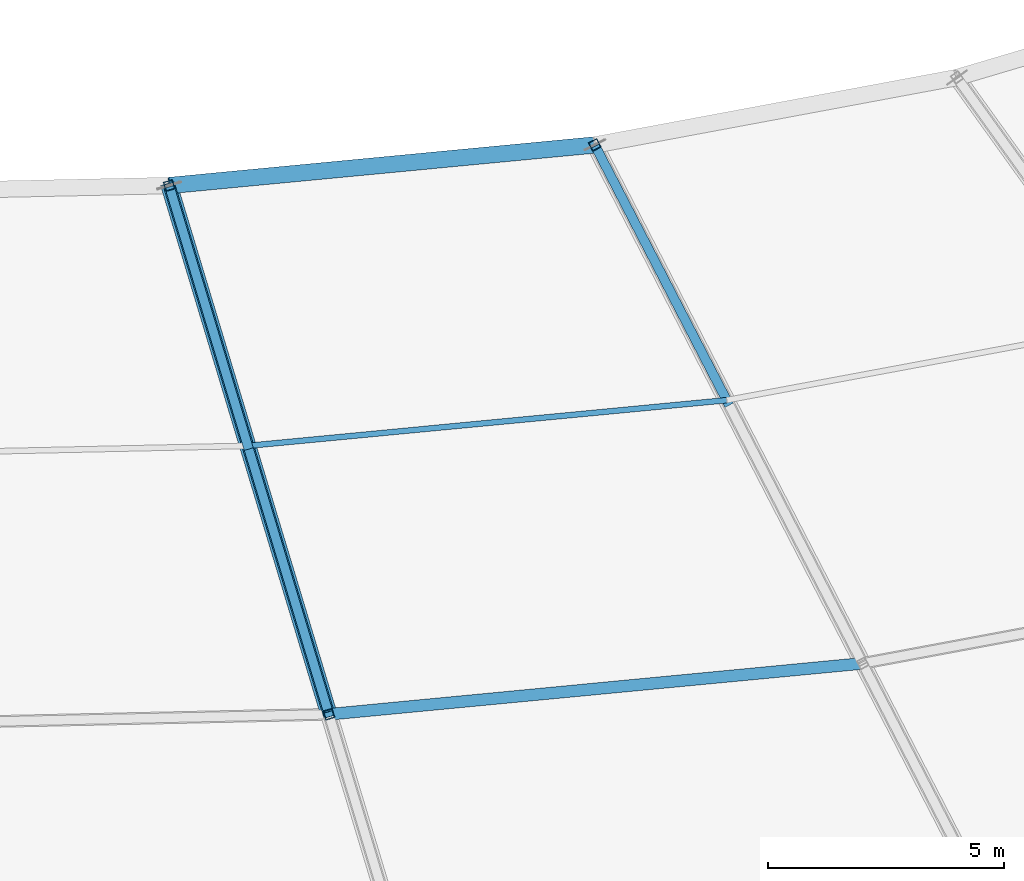
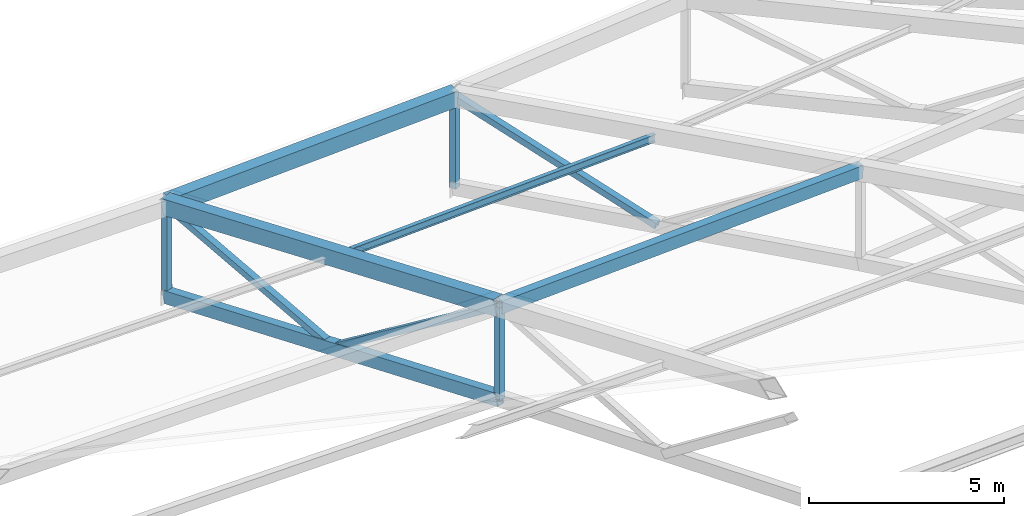
# One storey, part 37 of 143: 7 members, 4 beams.
"""IFC4 building model written with IfcOpenShell, lengths in metres."""

from ifc_helpers import new_model, si_unit, direction, frame, origin, origin_2d, place, context, subcontext, project, spatial, hollow_rectangle, i_section, extrude, material, material_profile, profile_set, type_object, element, save


model = new_model("IFC4")

# Units and contexts
model_context = context("Model", 3, precision=1e-05, world=origin(), true_north=direction((0.0, 1.0)))
body_context = subcontext(model_context, "Body", "Model", "MODEL_VIEW")
ifc_project = project(units=[si_unit("LENGTHUNIT", "METRE"), si_unit("AREAUNIT", "SQUARE_METRE"), si_unit("VOLUMEUNIT", "CUBIC_METRE"), si_unit("PLANEANGLEUNIT", "RADIAN"), si_unit("MASSUNIT", "GRAM", prefix="KILO")], contexts=[model_context])

# Site, building, storey
site_placement = place(None, origin())
site = spatial("IfcSite", under=ifc_project, at=site_placement, CompositionType="ELEMENT")
building_placement = place(site_placement, origin())
building = spatial("IfcBuilding", under=site, at=building_placement, Name="Mphavela Belvedere Stadium", CompositionType="ELEMENT")
storey_placement = place(building_placement, frame((0.0, 0.0, 28.800048828125)))
storey = spatial("IfcBuildingStorey", under=building, at=storey_placement, Name="RF", CompositionType="ELEMENT", Elevation=28.800048828125)

# Beams
ifc_material_1 = material(Name="Steel S355", Category="steel")
ifc_material_profile_1 = material_profile(ifc_material_1, hollow_rectangle(XDim=0.35009765625, YDim=0.5, WallThickness=0.02001953125, at=origin_2d()), Name="RHS 500x350x20")
ifc_profile_set_1 = profile_set([ifc_material_profile_1], Name="Steel S355")
beam_type_1 = type_object("IfcBeamType", Name="BM-RING-IN", PredefinedType="BEAM", material=ifc_profile_set_1)
beam_1_placement = place(storey_placement, frame((128.352294921875, 42.8076171875, 7.196533203125), z_axis=(0.994977937372, 0.094866111189, -0.03192687099), x_axis=(-0.094914497887, 0.995485428367, 0.0)))
element("IfcBeam", 1, at=beam_1_placement, inside=storey, type_object=beam_type_1, Name="Inner tension ring beam RB-IN-38", PredefinedType="BEAM", context=body_context, shape_type="SweptSolid", body=[
    extrude(hollow_rectangle(XDim=0.35009765625, YDim=0.5, WallThickness=0.02001953125, at=origin_2d()), origin(), (0.0, 0.0, 1.0), 9.076904296875),
])
ifc_material_2 = material(Name="Steel S355", Category="steel")
ifc_material_profile_2 = material_profile(ifc_material_2, hollow_rectangle(XDim=0.25, YDim=0.39990234375, WallThickness=0.01611328125, at=origin_2d()), Name="RHS 400x250x16")
ifc_profile_set_2 = profile_set([ifc_material_profile_2], Name="Steel S355")
beam_type_2 = type_object("IfcBeamType", Name="BM-RING-MID", PredefinedType="BEAM", material=ifc_profile_set_2)
beam_2_placement = place(storey_placement, frame((131.742431640625, 31.586669921875, 9.63427734375), z_axis=(0.994978032266, 0.09487523632, -0.031896784175), x_axis=(-0.094923536441, 0.995484566545, 0.0)))
element("IfcBeam", 2, at=beam_2_placement, inside=storey, type_object=beam_type_2, Name="Intermediate roof ring beam RB-MID-38", PredefinedType="BEAM", context=body_context, shape_type="SweptSolid", body=[
    extrude(hollow_rectangle(XDim=0.25, YDim=0.39990234375, WallThickness=0.01611328125, at=origin_2d()), origin(), (0.0, 0.0, 1.0), 11.381591796875),
])
ifc_material_3 = material(Name="Steel S355", Category="steel")
ifc_material_profile_3 = material_profile(ifc_material_3, hollow_rectangle(XDim=0.25, YDim=0.39990234375, WallThickness=0.01611328125, at=origin_2d()), Name="RHS 400x250x16")
ifc_profile_set_3 = profile_set([ifc_material_profile_3], Name="Steel S355")
beam_type_3 = type_object("IfcBeamType", Name="BM-TRUSS-BC2", PredefinedType="BEAM", material=ifc_profile_set_3)
beam_3_placement = place(storey_placement, frame((131.742431640625, 31.586669921875, 6.734375), z_axis=(-0.283393510492, 0.937998641489, -0.199616298871), x_axis=(-0.957264409521, -0.289214194439, 0.0)))
element("IfcBeam", 3, at=beam_3_placement, inside=storey, type_object=beam_type_3, Name="Radial roof truss RT-38 bottom chord 3", PredefinedType="BEAM", context=body_context, shape_type="SweptSolid", body=[
    extrude(hollow_rectangle(XDim=0.25, YDim=0.39990234375, WallThickness=0.01611328125, at=origin_2d()), origin(), (0.0, 0.0, 1.0), 11.962646484375),
])
ifc_material_4 = material(Name="Steel S355", Category="steel")
ifc_material_profile_4 = material_profile(ifc_material_4, hollow_rectangle(XDim=0.35009765625, YDim=0.5, WallThickness=0.02001953125, at=origin_2d()), Name="RHS 500x350x20")
ifc_profile_set_4 = profile_set([ifc_material_profile_4], Name="Steel S355")
beam_type_4 = type_object("IfcBeamType", Name="BM-TRUSS-TC2", PredefinedType="BEAM", material=ifc_profile_set_4)
beam_4_placement = place(storey_placement, frame((131.742431640625, 31.586669921875, 9.63427734375), z_axis=(-0.283155833182, 0.937211958007, -0.20360874221), x_axis=(-0.957264409521, -0.289214194439, 0.0)))
element("IfcBeam", 4, at=beam_4_placement, inside=storey, type_object=beam_type_4, Name="Radial roof truss RT-38 top chord 3", PredefinedType="BEAM", context=body_context, shape_type="SweptSolid", body=[
    extrude(hollow_rectangle(XDim=0.35009765625, YDim=0.5, WallThickness=0.02001953125, at=origin_2d()), origin(), (0.0, 0.0, 1.0), 11.97265625),
])

# Members
ifc_material_5 = material(Name="Steel S355", Category="steel")
ifc_material_profile_5 = material_profile(ifc_material_5, hollow_rectangle(XDim=0.199951171875, YDim=0.199951171875, WallThickness=0.010009765625, at=origin_2d()), Name="SHS 200x200x10")
ifc_profile_set_5 = profile_set([ifc_material_profile_5], Name="Steel S355")
member_type_1 = type_object("IfcMemberType", Name="MEM-POST-SHS200", PredefinedType="POST", material=ifc_profile_set_5)
member_1_placement = place(storey_placement, frame((131.742431640625, 31.586669921875, 6.734375), z_axis=(0.0, 0.0, 1.0), x_axis=(0.289198876314, -0.957269037387, 0.0)))
element("IfcMember", 5, at=member_1_placement, inside=storey, type_object=member_type_1, Name="Radial roof truss RT-38 post P3", PredefinedType="POST", context=body_context, shape_type="SweptSolid", body=[
    extrude(hollow_rectangle(XDim=0.199951171875, YDim=0.199951171875, WallThickness=0.010009765625, at=origin_2d()), origin(), (0.0, 0.0, 1.0), 2.89990234375),
])
member_2_placement = place(storey_placement, frame((128.352294921875, 42.8076171875, 4.346435546875), z_axis=(0.0, 0.0, 1.0), x_axis=(0.289198876314, -0.957269037387, 0.0)))
element("IfcMember", 6, at=member_2_placement, inside=storey, type_object=member_type_1, Name="Radial roof truss RT-38 post P4", PredefinedType="POST", context=body_context, shape_type="SweptSolid", body=[
    extrude(hollow_rectangle(XDim=0.199951171875, YDim=0.199951171875, WallThickness=0.010009765625, at=origin_2d()), origin(), (0.0, 0.0, 1.0), 2.85009765625),
])
member_3_placement = place(storey_placement, frame((131.742431640625, 31.586669921875, 9.63427734375), z_axis=(-0.237105915859, 0.784775161519, -0.572633155281), x_axis=(-0.957262667334, -0.289219960805, 0.0)))
element("IfcMember", 7, at=member_3_placement, inside=storey, type_object=member_type_1, Name="Radial roof truss RT-38 web diagonal D5", PredefinedType="POST", context=body_context, shape_type="SweptSolid", body=[
    extrude(hollow_rectangle(XDim=0.199951171875, YDim=0.199951171875, WallThickness=0.010009765625, at=origin_2d()), origin(), (0.0, 0.0, 1.0), 7.14892578125),
])
member_4_placement = place(storey_placement, frame((130.04736328125, 37.197021484375, 5.54052734375), z_axis=(-0.278312725012, 0.921201891618, 0.271899065787), x_axis=(-0.957266151603, -0.289208428292, 0.0)))
element("IfcMember", 8, at=member_4_placement, inside=storey, type_object=member_type_1, Name="Radial roof truss RT-38 web diagonal D6", PredefinedType="POST", context=body_context, shape_type="SweptSolid", body=[
    extrude(hollow_rectangle(XDim=0.199951171875, YDim=0.199951171875, WallThickness=0.010009765625, at=origin_2d()), origin(), (0.0, 0.0, 1.0), 6.090576171875),
])
member_5_placement = place(storey_placement, frame((137.383544921875, 43.668701171875, 4.056884765625), z_axis=(0.0, 0.0, 1.0), x_axis=(0.458959712465, -0.888457079624, 0.0)))
element("IfcMember", 9, at=member_5_placement, inside=storey, type_object=member_type_1, Name="Radial roof truss RT-39 post P4", PredefinedType="POST", context=body_context, shape_type="SweptSolid", body=[
    extrude(hollow_rectangle(XDim=0.199951171875, YDim=0.199951171875, WallThickness=0.010009765625, at=origin_2d()), origin(), (0.0, 0.0, 1.0), 2.849853515625),
])
member_6_placement = place(storey_placement, frame((140.225341796875, 38.167724609375, 5.214111328125), z_axis=(-0.442727312502, 0.857004450626, 0.263696602884), x_axis=(-0.888450561596, -0.458972329885, 0.0)))
element("IfcMember", 10, at=member_6_placement, inside=storey, type_object=member_type_1, Name="Radial roof truss RT-39 web diagonal D6", PredefinedType="POST", context=body_context, shape_type="SweptSolid", body=[
    extrude(hollow_rectangle(XDim=0.199951171875, YDim=0.199951171875, WallThickness=0.010009765625, at=origin_2d()), origin(), (0.0, 0.0, 1.0), 6.4189453125),
])
ifc_material_6 = material(Name="Steel S355", Category="steel")
ifc_material_profile_6 = material_profile(ifc_material_6, i_section(OverallWidth=0.1201171875, OverallDepth=0.239990234375, WebThickness=0.006103515625, FlangeThickness=0.009765625, at=origin_2d()), Name="IPE 240")
ifc_profile_set_6 = profile_set([ifc_material_profile_6], Name="Steel S355")
member_type_2 = type_object("IfcMemberType", Name="MEM-PURLIN-IPE240", PredefinedType="PURLIN", material=ifc_profile_set_6)
member_7_placement = place(storey_placement, frame((130.021240234375, 37.283447265625, 8.236572265625), z_axis=(0.994978938534, 0.094866915638, -0.031893262465), x_axis=(-0.094915200851, 0.995485361343, 0.0)))
element("IfcMember", 11, at=member_7_placement, inside=storey, type_object=member_type_2, Name="Saddle canopy steel purlin 38-1", PredefinedType="PURLIN", context=body_context, shape_type="SweptSolid", body=[
    extrude(i_section(OverallWidth=0.1201171875, OverallDepth=0.239990234375, WebThickness=0.006103515625, FlangeThickness=0.009765625, at=origin_2d()), origin(), (0.0, 0.0, 1.0), 10.211669921875),
])

save(model, "model.ifc")
